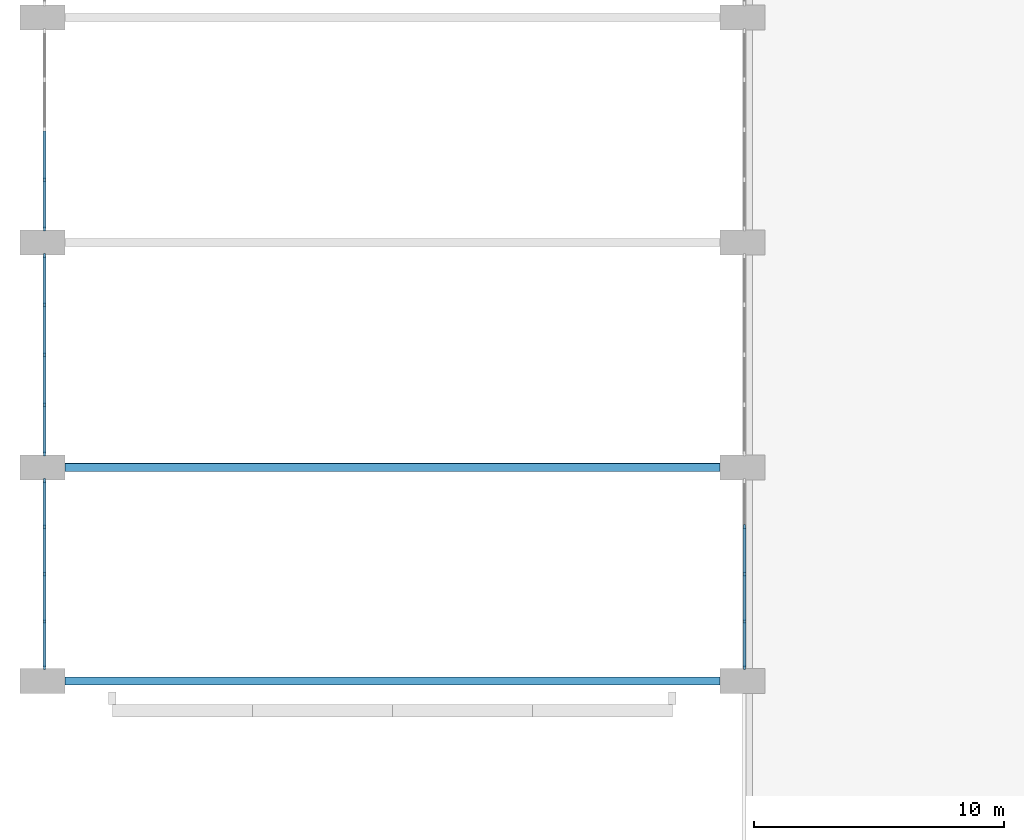
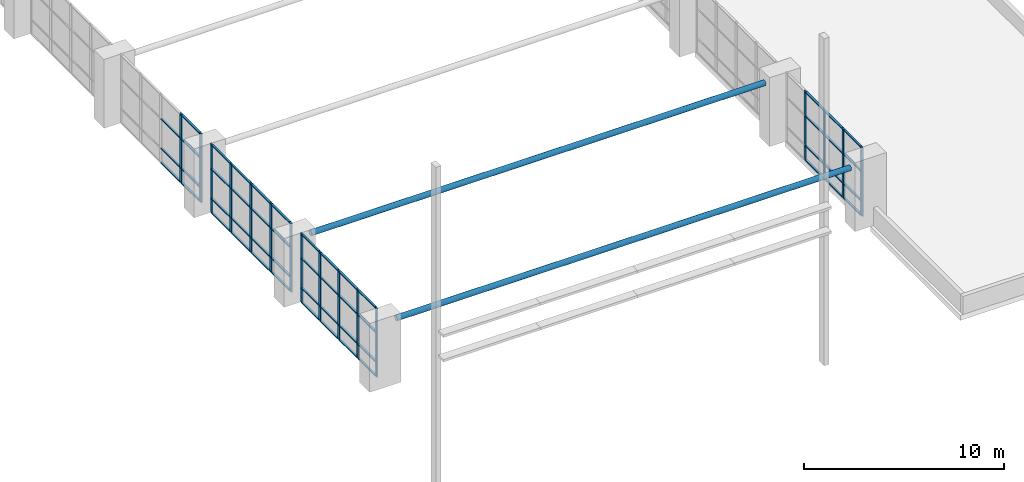
# One storey, part 2 of 21: 69 members, 4 elements without a shape of their own.
"""IFC4 building model written with IfcOpenShell, lengths in metres."""

from ifc_helpers import new_model, si_unit, direction, frame, origin, origin_2d, place, context, subcontext, project, spatial, rectangle, hollow_circle, extrude, material, material_profile, profile_set, type_object, element, aggregate, save


model = new_model("IFC4")

# Units and contexts
model_context = context("Model", 3, precision=1e-05, world=origin(), true_north=direction((0.0, 1.0)))
body_context = subcontext(model_context, "Body", "Model", "MODEL_VIEW")
ifc_project = project(units=[si_unit("LENGTHUNIT", "METRE"), si_unit("AREAUNIT", "SQUARE_METRE"), si_unit("VOLUMEUNIT", "CUBIC_METRE"), si_unit("PLANEANGLEUNIT", "RADIAN"), si_unit("MASSUNIT", "GRAM", prefix="KILO")], contexts=[model_context])

# Site, building, storey
site_placement = place(None, origin())
site = spatial("IfcSite", under=ifc_project, at=site_placement, CompositionType="ELEMENT")
building_placement = place(site_placement, origin())
building = spatial("IfcBuilding", under=site, at=building_placement, Name="Elmora Arch Market Hall", CompositionType="ELEMENT")
storey_placement = place(building_placement, frame((0.0, 0.0, 14.39990234375)))
storey = spatial("IfcBuildingStorey", under=building, at=storey_placement, Name="L03", CompositionType="ELEMENT", Elevation=14.39990234375)

# Curtain wall, members
ifc_material_1 = material(Name="Aluminium", Category="aluminium")
curtain_wall_type = type_object("IfcCurtainWallType", Name="Hall front curtain wall", PredefinedType="NOTDEFINED", material=ifc_material_1)
curtain_wall_1_placement = place(storey_placement, origin())
curtain_wall_1 = element("IfcCurtainWall", 1, at=curtain_wall_1_placement, inside=storey, type_object=curtain_wall_type, Name="Hall west glazing L03 1", PredefinedType="NOTDEFINED")
ifc_material_2 = material(Name="Aluminium", Category="aluminium")
ifc_material_profile_1 = material_profile(ifc_material_2, rectangle(XDim=0.080078125, YDim=0.179931640625, at=origin_2d()), Name="AL 80x180")
ifc_profile_set_1 = profile_set([ifc_material_profile_1], Name="Aluminium")
member_type_1 = type_object("IfcMemberType", Name="Mullion 80x180", PredefinedType="MULLION", material=ifc_profile_set_1)
member_1_placement = place(storey_placement, frame((15.090087890625, 27.989990234375, 0.0), z_axis=(0.0, 0.0, 1.0), x_axis=(-1.0, 0.0, 0.0)))
member_1 = element("IfcMember", 2, at=member_1_placement, type_object=member_type_1, Name="CW2 mullion 1", PredefinedType="MULLION", context=body_context, shape_type="SweptSolid", body=[
    extrude(rectangle(XDim=0.080078125, YDim=0.179931640625, at=origin_2d()), origin(), (0.0, 0.0, 1.0), 4.2001953125),
])
member_2_placement = place(storey_placement, frame((15.090087890625, 29.83740234375, 0.0), z_axis=(0.0, 0.0, 1.0), x_axis=(-1.0, 0.0, 0.0)))
member_2 = element("IfcMember", 3, at=member_2_placement, type_object=member_type_1, Name="CW2 mullion 2", PredefinedType="MULLION", context=body_context, shape_type="SweptSolid", body=[
    extrude(rectangle(XDim=0.080078125, YDim=0.179931640625, at=origin_2d()), origin(), (0.0, 0.0, 1.0), 4.2001953125),
])
member_3_placement = place(storey_placement, frame((15.090087890625, 31.72509765625, 0.0), z_axis=(0.0, 0.0, 1.0), x_axis=(-1.0, 0.0, 0.0)))
member_3 = element("IfcMember", 4, at=member_3_placement, type_object=member_type_1, Name="CW2 mullion 3", PredefinedType="MULLION", context=body_context, shape_type="SweptSolid", body=[
    extrude(rectangle(XDim=0.080078125, YDim=0.179931640625, at=origin_2d()), origin(), (0.0, 0.0, 1.0), 4.2001953125),
])
member_4_placement = place(storey_placement, frame((15.090087890625, 33.612548828125, 0.0), z_axis=(0.0, 0.0, 1.0), x_axis=(-1.0, 0.0, 0.0)))
member_4 = element("IfcMember", 5, at=member_4_placement, type_object=member_type_1, Name="CW2 mullion 4", PredefinedType="MULLION", context=body_context, shape_type="SweptSolid", body=[
    extrude(rectangle(XDim=0.080078125, YDim=0.179931640625, at=origin_2d()), origin(), (0.0, 0.0, 1.0), 4.2001953125),
])
member_5_placement = place(storey_placement, frame((15.090087890625, 35.4599609375, 0.0), z_axis=(0.0, 0.0, 1.0), x_axis=(-1.0, 0.0, 0.0)))
member_5 = element("IfcMember", 6, at=member_5_placement, type_object=member_type_1, Name="CW2 mullion 5", PredefinedType="MULLION", context=body_context, shape_type="SweptSolid", body=[
    extrude(rectangle(XDim=0.080078125, YDim=0.179931640625, at=origin_2d()), origin(), (0.0, 0.0, 1.0), 4.2001953125),
])

curtain_wall_2_placement = place(storey_placement, origin())
curtain_wall_2 = element("IfcCurtainWall", 7, at=curtain_wall_2_placement, inside=storey, type_object=curtain_wall_type, Name="Hall west glazing L03 2", PredefinedType="NOTDEFINED")
member_6_placement = place(storey_placement, frame((15.090087890625, 36.5400390625, 0.0), z_axis=(0.0, 0.0, 1.0), x_axis=(-1.0, 0.0, 0.0)))
member_6 = element("IfcMember", 8, at=member_6_placement, type_object=member_type_1, Name="CW2 mullion 1", PredefinedType="MULLION", context=body_context, shape_type="SweptSolid", body=[
    extrude(rectangle(XDim=0.080078125, YDim=0.179931640625, at=origin_2d()), origin(), (0.0, 0.0, 1.0), 4.2001953125),
])
member_7_placement = place(storey_placement, frame((15.090087890625, 38.5, 0.0), z_axis=(0.0, 0.0, 1.0), x_axis=(-1.0, 0.0, 0.0)))
member_7 = element("IfcMember", 9, at=member_7_placement, type_object=member_type_1, Name="CW2 mullion 2", PredefinedType="MULLION", context=body_context, shape_type="SweptSolid", body=[
    extrude(rectangle(XDim=0.080078125, YDim=0.179931640625, at=origin_2d()), origin(), (0.0, 0.0, 1.0), 4.2001953125),
])
member_8_placement = place(storey_placement, frame((15.090087890625, 40.5, 0.0), z_axis=(0.0, 0.0, 1.0), x_axis=(-1.0, 0.0, 0.0)))
member_8 = element("IfcMember", 10, at=member_8_placement, type_object=member_type_1, Name="CW2 mullion 3", PredefinedType="MULLION", context=body_context, shape_type="SweptSolid", body=[
    extrude(rectangle(XDim=0.080078125, YDim=0.179931640625, at=origin_2d()), origin(), (0.0, 0.0, 1.0), 4.2001953125),
])
member_9_placement = place(storey_placement, frame((15.090087890625, 42.5, 0.0), z_axis=(0.0, 0.0, 1.0), x_axis=(-1.0, 0.0, 0.0)))
member_9 = element("IfcMember", 11, at=member_9_placement, type_object=member_type_1, Name="CW2 mullion 4", PredefinedType="MULLION", context=body_context, shape_type="SweptSolid", body=[
    extrude(rectangle(XDim=0.080078125, YDim=0.179931640625, at=origin_2d()), origin(), (0.0, 0.0, 1.0), 4.2001953125),
])
member_10_placement = place(storey_placement, frame((15.090087890625, 44.4599609375, 0.0), z_axis=(0.0, 0.0, 1.0), x_axis=(-1.0, 0.0, 0.0)))
member_10 = element("IfcMember", 12, at=member_10_placement, type_object=member_type_1, Name="CW2 mullion 5", PredefinedType="MULLION", context=body_context, shape_type="SweptSolid", body=[
    extrude(rectangle(XDim=0.080078125, YDim=0.179931640625, at=origin_2d()), origin(), (0.0, 0.0, 1.0), 4.2001953125),
])

curtain_wall_3_placement = place(storey_placement, origin())
curtain_wall_3 = element("IfcCurtainWall", 13, at=curtain_wall_3_placement, inside=storey, type_object=curtain_wall_type, Name="Hall west glazing L03 3", PredefinedType="NOTDEFINED")
member_11_placement = place(storey_placement, frame((15.090087890625, 45.5400390625, 0.0), z_axis=(0.0, 0.0, 1.0), x_axis=(-1.0, 0.0, 0.0)))
member_11 = element("IfcMember", 14, at=member_11_placement, type_object=member_type_1, Name="CW2 mullion 1", PredefinedType="MULLION", context=body_context, shape_type="SweptSolid", body=[
    extrude(rectangle(XDim=0.080078125, YDim=0.179931640625, at=origin_2d()), origin(), (0.0, 0.0, 1.0), 4.2001953125),
])
member_12_placement = place(storey_placement, frame((15.090087890625, 47.5, 0.0), z_axis=(0.0, 0.0, 1.0), x_axis=(-1.0, 0.0, 0.0)))
member_12 = element("IfcMember", 15, at=member_12_placement, type_object=member_type_1, Name="CW2 mullion 2", PredefinedType="MULLION", context=body_context, shape_type="SweptSolid", body=[
    extrude(rectangle(XDim=0.080078125, YDim=0.179931640625, at=origin_2d()), origin(), (0.0, 0.0, 1.0), 4.2001953125),
])

curtain_wall_4_placement = place(storey_placement, origin())
curtain_wall_4 = element("IfcCurtainWall", 16, at=curtain_wall_4_placement, inside=storey, type_object=curtain_wall_type, Name="Hall east glazing L03 1", PredefinedType="NOTDEFINED")
member_13_placement = place(storey_placement, frame((43.090087890625, 27.989990234375, 0.0), z_axis=(0.0, 0.0, 1.0), x_axis=(-1.0, 0.0, 0.0)))
member_13 = element("IfcMember", 17, at=member_13_placement, type_object=member_type_1, Name="CW2 mullion 1", PredefinedType="MULLION", context=body_context, shape_type="SweptSolid", body=[
    extrude(rectangle(XDim=0.080078125, YDim=0.179931640625, at=origin_2d()), origin(), (0.0, 0.0, 1.0), 4.2001953125),
])
member_14_placement = place(storey_placement, frame((43.090087890625, 29.83740234375, 0.0), z_axis=(0.0, 0.0, 1.0), x_axis=(-1.0, 0.0, 0.0)))
member_14 = element("IfcMember", 18, at=member_14_placement, type_object=member_type_1, Name="CW2 mullion 2", PredefinedType="MULLION", context=body_context, shape_type="SweptSolid", body=[
    extrude(rectangle(XDim=0.080078125, YDim=0.179931640625, at=origin_2d()), origin(), (0.0, 0.0, 1.0), 4.2001953125),
])
member_15_placement = place(storey_placement, frame((43.090087890625, 31.72509765625, 0.0), z_axis=(0.0, 0.0, 1.0), x_axis=(-1.0, 0.0, 0.0)))
member_15 = element("IfcMember", 19, at=member_15_placement, type_object=member_type_1, Name="CW2 mullion 3", PredefinedType="MULLION", context=body_context, shape_type="SweptSolid", body=[
    extrude(rectangle(XDim=0.080078125, YDim=0.179931640625, at=origin_2d()), origin(), (0.0, 0.0, 1.0), 4.2001953125),
])
member_16_placement = place(storey_placement, frame((43.090087890625, 33.612548828125, 0.0), z_axis=(0.0, 0.0, 1.0), x_axis=(-1.0, 0.0, 0.0)))
member_16 = element("IfcMember", 20, at=member_16_placement, type_object=member_type_1, Name="CW2 mullion 4", PredefinedType="MULLION", context=body_context, shape_type="SweptSolid", body=[
    extrude(rectangle(XDim=0.080078125, YDim=0.179931640625, at=origin_2d()), origin(), (0.0, 0.0, 1.0), 4.2001953125),
])

# Members
ifc_material_3 = material(Name="Steel ASTM A500 Gr C", Category="steel")
ifc_material_profile_2 = material_profile(ifc_material_3, hollow_circle(Radius=0.161865234375, WallThickness=0.0126953125, at=origin_2d()), Name="Tie rod")
ifc_profile_set_2 = profile_set([ifc_material_profile_2], Name="Steel ASTM A500 Gr C")
member_type_2 = type_object("IfcMemberType", Name="Tie rod", PredefinedType="USERDEFINED", material=ifc_profile_set_2)
for number, where, z_axis, x_axis, name in (
    (21, (15.89990234375, 27.449951171875, 3.60009765625), (1.0, 0.0, 0.0), (0.0, 1.0, 0.0), "Tie rod 01"),
    (22, (15.89990234375, 36.0, 3.60009765625), (1.0, 0.0, 0.0), (0.0, 1.0, 0.0), "Tie rod 02"),
):
    element("IfcMember", number, at=place(storey_placement, frame(where, z_axis=z_axis, x_axis=x_axis)), inside=storey, type_object=member_type_2, Name=name, ObjectType="TIE ROD", PredefinedType="USERDEFINED", context=body_context, shape_type="SweptSolid", body=[
        extrude(hollow_circle(Radius=0.161865234375, WallThickness=0.0126953125, at=origin_2d()), origin(), (0.0, 0.0, 1.0), 26.2001953125),
    ])

# Member
ifc_material_4 = material(Name="Aluminium", Category="aluminium")
ifc_material_profile_3 = material_profile(ifc_material_4, rectangle(XDim=0.1201171875, YDim=0.06005859375, at=origin_2d()), Name="AL 120x60")
ifc_profile_set_3 = profile_set([ifc_material_profile_3], Name="Aluminium")
member_type_3 = type_object("IfcMemberType", Name="Transom 120x60", PredefinedType="USERDEFINED", material=ifc_profile_set_3)
member_17_placement = place(storey_placement, frame((15.090087890625, 28.030029296875, 0.030029296875), z_axis=(0.0, 1.0, 0.0), x_axis=(-1.0, 0.0, 0.0)))
member_17 = element("IfcMember", 23, at=member_17_placement, type_object=member_type_3, Name="CW2 transom 1.1", ObjectType="TRANSOM", PredefinedType="USERDEFINED", context=body_context, shape_type="SweptSolid", body=[
    extrude(rectangle(XDim=0.1201171875, YDim=0.06005859375, at=origin_2d()), origin(), (0.0, 0.0, 1.0), 1.767578125),
])

member_18_placement = place(storey_placement, frame((15.090087890625, 28.030029296875, 0.900146484375), z_axis=(0.0, 1.0, 0.0), x_axis=(-1.0, 0.0, 0.0)))
member_18 = element("IfcMember", 24, at=member_18_placement, type_object=member_type_3, Name="CW2 transom 1.2", ObjectType="TRANSOM", PredefinedType="USERDEFINED", context=body_context, shape_type="SweptSolid", body=[
    extrude(rectangle(XDim=0.1201171875, YDim=0.06005859375, at=origin_2d()), origin(), (0.0, 0.0, 1.0), 1.767578125),
])

member_19_placement = place(storey_placement, frame((15.090087890625, 28.030029296875, 2.7001953125), z_axis=(0.0, 1.0, 0.0), x_axis=(-1.0, 0.0, 0.0)))
member_19 = element("IfcMember", 25, at=member_19_placement, type_object=member_type_3, Name="CW2 transom 1.3", ObjectType="TRANSOM", PredefinedType="USERDEFINED", context=body_context, shape_type="SweptSolid", body=[
    extrude(rectangle(XDim=0.1201171875, YDim=0.06005859375, at=origin_2d()), origin(), (0.0, 0.0, 1.0), 1.767578125),
])

member_20_placement = place(storey_placement, frame((15.090087890625, 28.030029296875, 4.170166015625), z_axis=(0.0, 1.0, 0.0), x_axis=(-1.0, 0.0, 0.0)))
member_20 = element("IfcMember", 26, at=member_20_placement, type_object=member_type_3, Name="CW2 transom 1.4", ObjectType="TRANSOM", PredefinedType="USERDEFINED", context=body_context, shape_type="SweptSolid", body=[
    extrude(rectangle(XDim=0.1201171875, YDim=0.06005859375, at=origin_2d()), origin(), (0.0, 0.0, 1.0), 1.767578125),
])

member_21_placement = place(storey_placement, frame((15.090087890625, 29.87744140625, 0.030029296875), z_axis=(0.0, 1.0, 0.0), x_axis=(-1.0, 0.0, 0.0)))
member_21 = element("IfcMember", 27, at=member_21_placement, type_object=member_type_3, Name="CW2 transom 2.1", ObjectType="TRANSOM", PredefinedType="USERDEFINED", context=body_context, shape_type="SweptSolid", body=[
    extrude(rectangle(XDim=0.1201171875, YDim=0.06005859375, at=origin_2d()), origin(), (0.0, 0.0, 1.0), 1.8076171875),
])

member_22_placement = place(storey_placement, frame((15.090087890625, 29.87744140625, 0.900146484375), z_axis=(0.0, 1.0, 0.0), x_axis=(-1.0, 0.0, 0.0)))
member_22 = element("IfcMember", 28, at=member_22_placement, type_object=member_type_3, Name="CW2 transom 2.2", ObjectType="TRANSOM", PredefinedType="USERDEFINED", context=body_context, shape_type="SweptSolid", body=[
    extrude(rectangle(XDim=0.1201171875, YDim=0.06005859375, at=origin_2d()), origin(), (0.0, 0.0, 1.0), 1.8076171875),
])

member_23_placement = place(storey_placement, frame((15.090087890625, 29.87744140625, 2.7001953125), z_axis=(0.0, 1.0, 0.0), x_axis=(-1.0, 0.0, 0.0)))
member_23 = element("IfcMember", 29, at=member_23_placement, type_object=member_type_3, Name="CW2 transom 2.3", ObjectType="TRANSOM", PredefinedType="USERDEFINED", context=body_context, shape_type="SweptSolid", body=[
    extrude(rectangle(XDim=0.1201171875, YDim=0.06005859375, at=origin_2d()), origin(), (0.0, 0.0, 1.0), 1.8076171875),
])

member_24_placement = place(storey_placement, frame((15.090087890625, 29.87744140625, 4.170166015625), z_axis=(0.0, 1.0, 0.0), x_axis=(-1.0, 0.0, 0.0)))
member_24 = element("IfcMember", 30, at=member_24_placement, type_object=member_type_3, Name="CW2 transom 2.4", ObjectType="TRANSOM", PredefinedType="USERDEFINED", context=body_context, shape_type="SweptSolid", body=[
    extrude(rectangle(XDim=0.1201171875, YDim=0.06005859375, at=origin_2d()), origin(), (0.0, 0.0, 1.0), 1.8076171875),
])

member_25_placement = place(storey_placement, frame((15.090087890625, 31.764892578125, 0.030029296875), z_axis=(0.0, 1.0, 0.0), x_axis=(-1.0, 0.0, 0.0)))
member_25 = element("IfcMember", 31, at=member_25_placement, type_object=member_type_3, Name="CW2 transom 3.1", ObjectType="TRANSOM", PredefinedType="USERDEFINED", context=body_context, shape_type="SweptSolid", body=[
    extrude(rectangle(XDim=0.1201171875, YDim=0.06005859375, at=origin_2d()), origin(), (0.0, 0.0, 1.0), 1.8076171875),
])

member_26_placement = place(storey_placement, frame((15.090087890625, 31.764892578125, 0.900146484375), z_axis=(0.0, 1.0, 0.0), x_axis=(-1.0, 0.0, 0.0)))
member_26 = element("IfcMember", 32, at=member_26_placement, type_object=member_type_3, Name="CW2 transom 3.2", ObjectType="TRANSOM", PredefinedType="USERDEFINED", context=body_context, shape_type="SweptSolid", body=[
    extrude(rectangle(XDim=0.1201171875, YDim=0.06005859375, at=origin_2d()), origin(), (0.0, 0.0, 1.0), 1.8076171875),
])

member_27_placement = place(storey_placement, frame((15.090087890625, 31.764892578125, 2.7001953125), z_axis=(0.0, 1.0, 0.0), x_axis=(-1.0, 0.0, 0.0)))
member_27 = element("IfcMember", 33, at=member_27_placement, type_object=member_type_3, Name="CW2 transom 3.3", ObjectType="TRANSOM", PredefinedType="USERDEFINED", context=body_context, shape_type="SweptSolid", body=[
    extrude(rectangle(XDim=0.1201171875, YDim=0.06005859375, at=origin_2d()), origin(), (0.0, 0.0, 1.0), 1.8076171875),
])

member_28_placement = place(storey_placement, frame((15.090087890625, 31.764892578125, 4.170166015625), z_axis=(0.0, 1.0, 0.0), x_axis=(-1.0, 0.0, 0.0)))
member_28 = element("IfcMember", 34, at=member_28_placement, type_object=member_type_3, Name="CW2 transom 3.4", ObjectType="TRANSOM", PredefinedType="USERDEFINED", context=body_context, shape_type="SweptSolid", body=[
    extrude(rectangle(XDim=0.1201171875, YDim=0.06005859375, at=origin_2d()), origin(), (0.0, 0.0, 1.0), 1.8076171875),
])

member_29_placement = place(storey_placement, frame((15.090087890625, 33.652587890625, 0.030029296875), z_axis=(0.0, 1.0, 0.0), x_axis=(-1.0, 0.0, 0.0)))
member_29 = element("IfcMember", 35, at=member_29_placement, type_object=member_type_3, Name="CW2 transom 4.1", ObjectType="TRANSOM", PredefinedType="USERDEFINED", context=body_context, shape_type="SweptSolid", body=[
    extrude(rectangle(XDim=0.1201171875, YDim=0.06005859375, at=origin_2d()), origin(), (0.0, 0.0, 1.0), 1.767333984375),
])

member_30_placement = place(storey_placement, frame((15.090087890625, 33.652587890625, 0.900146484375), z_axis=(0.0, 1.0, 0.0), x_axis=(-1.0, 0.0, 0.0)))
member_30 = element("IfcMember", 36, at=member_30_placement, type_object=member_type_3, Name="CW2 transom 4.2", ObjectType="TRANSOM", PredefinedType="USERDEFINED", context=body_context, shape_type="SweptSolid", body=[
    extrude(rectangle(XDim=0.1201171875, YDim=0.06005859375, at=origin_2d()), origin(), (0.0, 0.0, 1.0), 1.767333984375),
])

member_31_placement = place(storey_placement, frame((15.090087890625, 33.652587890625, 2.7001953125), z_axis=(0.0, 1.0, 0.0), x_axis=(-1.0, 0.0, 0.0)))
member_31 = element("IfcMember", 37, at=member_31_placement, type_object=member_type_3, Name="CW2 transom 4.3", ObjectType="TRANSOM", PredefinedType="USERDEFINED", context=body_context, shape_type="SweptSolid", body=[
    extrude(rectangle(XDim=0.1201171875, YDim=0.06005859375, at=origin_2d()), origin(), (0.0, 0.0, 1.0), 1.767333984375),
])

member_32_placement = place(storey_placement, frame((15.090087890625, 33.652587890625, 4.170166015625), z_axis=(0.0, 1.0, 0.0), x_axis=(-1.0, 0.0, 0.0)))
member_32 = element("IfcMember", 38, at=member_32_placement, type_object=member_type_3, Name="CW2 transom 4.4", ObjectType="TRANSOM", PredefinedType="USERDEFINED", context=body_context, shape_type="SweptSolid", body=[
    extrude(rectangle(XDim=0.1201171875, YDim=0.06005859375, at=origin_2d()), origin(), (0.0, 0.0, 1.0), 1.767333984375),
])

aggregate(curtain_wall_1, [member_1, member_2, member_3, member_4, member_5, member_17, member_18, member_19, member_20, member_21, member_22, member_23, member_24, member_25, member_26, member_27, member_28, member_29, member_30, member_31, member_32])

member_33_placement = place(storey_placement, frame((15.090087890625, 36.580078125, 0.030029296875), z_axis=(0.0, 1.0, 0.0), x_axis=(-1.0, 0.0, 0.0)))
member_33 = element("IfcMember", 39, at=member_33_placement, type_object=member_type_3, Name="CW2 transom 1.1", ObjectType="TRANSOM", PredefinedType="USERDEFINED", context=body_context, shape_type="SweptSolid", body=[
    extrude(rectangle(XDim=0.1201171875, YDim=0.06005859375, at=origin_2d()), origin(), (0.0, 0.0, 1.0), 1.8798828125),
])

member_34_placement = place(storey_placement, frame((15.090087890625, 36.580078125, 0.900146484375), z_axis=(0.0, 1.0, 0.0), x_axis=(-1.0, 0.0, 0.0)))
member_34 = element("IfcMember", 40, at=member_34_placement, type_object=member_type_3, Name="CW2 transom 1.2", ObjectType="TRANSOM", PredefinedType="USERDEFINED", context=body_context, shape_type="SweptSolid", body=[
    extrude(rectangle(XDim=0.1201171875, YDim=0.06005859375, at=origin_2d()), origin(), (0.0, 0.0, 1.0), 1.8798828125),
])

member_35_placement = place(storey_placement, frame((15.090087890625, 36.580078125, 2.7001953125), z_axis=(0.0, 1.0, 0.0), x_axis=(-1.0, 0.0, 0.0)))
member_35 = element("IfcMember", 41, at=member_35_placement, type_object=member_type_3, Name="CW2 transom 1.3", ObjectType="TRANSOM", PredefinedType="USERDEFINED", context=body_context, shape_type="SweptSolid", body=[
    extrude(rectangle(XDim=0.1201171875, YDim=0.06005859375, at=origin_2d()), origin(), (0.0, 0.0, 1.0), 1.8798828125),
])

member_36_placement = place(storey_placement, frame((15.090087890625, 36.580078125, 4.170166015625), z_axis=(0.0, 1.0, 0.0), x_axis=(-1.0, 0.0, 0.0)))
member_36 = element("IfcMember", 42, at=member_36_placement, type_object=member_type_3, Name="CW2 transom 1.4", ObjectType="TRANSOM", PredefinedType="USERDEFINED", context=body_context, shape_type="SweptSolid", body=[
    extrude(rectangle(XDim=0.1201171875, YDim=0.06005859375, at=origin_2d()), origin(), (0.0, 0.0, 1.0), 1.8798828125),
])

member_37_placement = place(storey_placement, frame((15.090087890625, 38.5400390625, 0.030029296875), z_axis=(0.0, 1.0, 0.0), x_axis=(-1.0, 0.0, 0.0)))
member_37 = element("IfcMember", 43, at=member_37_placement, type_object=member_type_3, Name="CW2 transom 2.1", ObjectType="TRANSOM", PredefinedType="USERDEFINED", context=body_context, shape_type="SweptSolid", body=[
    extrude(rectangle(XDim=0.1201171875, YDim=0.06005859375, at=origin_2d()), origin(), (0.0, 0.0, 1.0), 1.919921875),
])

member_38_placement = place(storey_placement, frame((15.090087890625, 38.5400390625, 0.900146484375), z_axis=(0.0, 1.0, 0.0), x_axis=(-1.0, 0.0, 0.0)))
member_38 = element("IfcMember", 44, at=member_38_placement, type_object=member_type_3, Name="CW2 transom 2.2", ObjectType="TRANSOM", PredefinedType="USERDEFINED", context=body_context, shape_type="SweptSolid", body=[
    extrude(rectangle(XDim=0.1201171875, YDim=0.06005859375, at=origin_2d()), origin(), (0.0, 0.0, 1.0), 1.919921875),
])

member_39_placement = place(storey_placement, frame((15.090087890625, 38.5400390625, 2.7001953125), z_axis=(0.0, 1.0, 0.0), x_axis=(-1.0, 0.0, 0.0)))
member_39 = element("IfcMember", 45, at=member_39_placement, type_object=member_type_3, Name="CW2 transom 2.3", ObjectType="TRANSOM", PredefinedType="USERDEFINED", context=body_context, shape_type="SweptSolid", body=[
    extrude(rectangle(XDim=0.1201171875, YDim=0.06005859375, at=origin_2d()), origin(), (0.0, 0.0, 1.0), 1.919921875),
])

member_40_placement = place(storey_placement, frame((15.090087890625, 38.5400390625, 4.170166015625), z_axis=(0.0, 1.0, 0.0), x_axis=(-1.0, 0.0, 0.0)))
member_40 = element("IfcMember", 46, at=member_40_placement, type_object=member_type_3, Name="CW2 transom 2.4", ObjectType="TRANSOM", PredefinedType="USERDEFINED", context=body_context, shape_type="SweptSolid", body=[
    extrude(rectangle(XDim=0.1201171875, YDim=0.06005859375, at=origin_2d()), origin(), (0.0, 0.0, 1.0), 1.919921875),
])

member_41_placement = place(storey_placement, frame((15.090087890625, 40.5400390625, 0.030029296875), z_axis=(0.0, 1.0, 0.0), x_axis=(-1.0, 0.0, 0.0)))
member_41 = element("IfcMember", 47, at=member_41_placement, type_object=member_type_3, Name="CW2 transom 3.1", ObjectType="TRANSOM", PredefinedType="USERDEFINED", context=body_context, shape_type="SweptSolid", body=[
    extrude(rectangle(XDim=0.1201171875, YDim=0.06005859375, at=origin_2d()), origin(), (0.0, 0.0, 1.0), 1.919921875),
])

member_42_placement = place(storey_placement, frame((15.090087890625, 40.5400390625, 0.900146484375), z_axis=(0.0, 1.0, 0.0), x_axis=(-1.0, 0.0, 0.0)))
member_42 = element("IfcMember", 48, at=member_42_placement, type_object=member_type_3, Name="CW2 transom 3.2", ObjectType="TRANSOM", PredefinedType="USERDEFINED", context=body_context, shape_type="SweptSolid", body=[
    extrude(rectangle(XDim=0.1201171875, YDim=0.06005859375, at=origin_2d()), origin(), (0.0, 0.0, 1.0), 1.919921875),
])

member_43_placement = place(storey_placement, frame((15.090087890625, 40.5400390625, 2.7001953125), z_axis=(0.0, 1.0, 0.0), x_axis=(-1.0, 0.0, 0.0)))
member_43 = element("IfcMember", 49, at=member_43_placement, type_object=member_type_3, Name="CW2 transom 3.3", ObjectType="TRANSOM", PredefinedType="USERDEFINED", context=body_context, shape_type="SweptSolid", body=[
    extrude(rectangle(XDim=0.1201171875, YDim=0.06005859375, at=origin_2d()), origin(), (0.0, 0.0, 1.0), 1.919921875),
])

member_44_placement = place(storey_placement, frame((15.090087890625, 40.5400390625, 4.170166015625), z_axis=(0.0, 1.0, 0.0), x_axis=(-1.0, 0.0, 0.0)))
member_44 = element("IfcMember", 50, at=member_44_placement, type_object=member_type_3, Name="CW2 transom 3.4", ObjectType="TRANSOM", PredefinedType="USERDEFINED", context=body_context, shape_type="SweptSolid", body=[
    extrude(rectangle(XDim=0.1201171875, YDim=0.06005859375, at=origin_2d()), origin(), (0.0, 0.0, 1.0), 1.919921875),
])

member_45_placement = place(storey_placement, frame((15.090087890625, 42.5400390625, 0.030029296875), z_axis=(0.0, 1.0, 0.0), x_axis=(-1.0, 0.0, 0.0)))
member_45 = element("IfcMember", 51, at=member_45_placement, type_object=member_type_3, Name="CW2 transom 4.1", ObjectType="TRANSOM", PredefinedType="USERDEFINED", context=body_context, shape_type="SweptSolid", body=[
    extrude(rectangle(XDim=0.1201171875, YDim=0.06005859375, at=origin_2d()), origin(), (0.0, 0.0, 1.0), 1.8798828125),
])

member_46_placement = place(storey_placement, frame((15.090087890625, 42.5400390625, 0.900146484375), z_axis=(0.0, 1.0, 0.0), x_axis=(-1.0, 0.0, 0.0)))
member_46 = element("IfcMember", 52, at=member_46_placement, type_object=member_type_3, Name="CW2 transom 4.2", ObjectType="TRANSOM", PredefinedType="USERDEFINED", context=body_context, shape_type="SweptSolid", body=[
    extrude(rectangle(XDim=0.1201171875, YDim=0.06005859375, at=origin_2d()), origin(), (0.0, 0.0, 1.0), 1.8798828125),
])

member_47_placement = place(storey_placement, frame((15.090087890625, 42.5400390625, 2.7001953125), z_axis=(0.0, 1.0, 0.0), x_axis=(-1.0, 0.0, 0.0)))
member_47 = element("IfcMember", 53, at=member_47_placement, type_object=member_type_3, Name="CW2 transom 4.3", ObjectType="TRANSOM", PredefinedType="USERDEFINED", context=body_context, shape_type="SweptSolid", body=[
    extrude(rectangle(XDim=0.1201171875, YDim=0.06005859375, at=origin_2d()), origin(), (0.0, 0.0, 1.0), 1.8798828125),
])

member_48_placement = place(storey_placement, frame((15.090087890625, 42.5400390625, 4.170166015625), z_axis=(0.0, 1.0, 0.0), x_axis=(-1.0, 0.0, 0.0)))
member_48 = element("IfcMember", 54, at=member_48_placement, type_object=member_type_3, Name="CW2 transom 4.4", ObjectType="TRANSOM", PredefinedType="USERDEFINED", context=body_context, shape_type="SweptSolid", body=[
    extrude(rectangle(XDim=0.1201171875, YDim=0.06005859375, at=origin_2d()), origin(), (0.0, 0.0, 1.0), 1.8798828125),
])

aggregate(curtain_wall_2, [member_6, member_7, member_8, member_9, member_10, member_33, member_34, member_35, member_36, member_37, member_38, member_39, member_40, member_41, member_42, member_43, member_44, member_45, member_46, member_47, member_48])

member_49_placement = place(storey_placement, frame((15.090087890625, 45.580078125, 0.030029296875), z_axis=(0.0, 1.0, 0.0), x_axis=(-1.0, 0.0, 0.0)))
member_49 = element("IfcMember", 55, at=member_49_placement, type_object=member_type_3, Name="CW2 transom 1.1", ObjectType="TRANSOM", PredefinedType="USERDEFINED", context=body_context, shape_type="SweptSolid", body=[
    extrude(rectangle(XDim=0.1201171875, YDim=0.06005859375, at=origin_2d()), origin(), (0.0, 0.0, 1.0), 1.8798828125),
])

member_50_placement = place(storey_placement, frame((15.090087890625, 45.580078125, 0.900146484375), z_axis=(0.0, 1.0, 0.0), x_axis=(-1.0, 0.0, 0.0)))
member_50 = element("IfcMember", 56, at=member_50_placement, type_object=member_type_3, Name="CW2 transom 1.2", ObjectType="TRANSOM", PredefinedType="USERDEFINED", context=body_context, shape_type="SweptSolid", body=[
    extrude(rectangle(XDim=0.1201171875, YDim=0.06005859375, at=origin_2d()), origin(), (0.0, 0.0, 1.0), 1.8798828125),
])

member_51_placement = place(storey_placement, frame((15.090087890625, 45.580078125, 2.7001953125), z_axis=(0.0, 1.0, 0.0), x_axis=(-1.0, 0.0, 0.0)))
member_51 = element("IfcMember", 57, at=member_51_placement, type_object=member_type_3, Name="CW2 transom 1.3", ObjectType="TRANSOM", PredefinedType="USERDEFINED", context=body_context, shape_type="SweptSolid", body=[
    extrude(rectangle(XDim=0.1201171875, YDim=0.06005859375, at=origin_2d()), origin(), (0.0, 0.0, 1.0), 1.8798828125),
])

member_52_placement = place(storey_placement, frame((15.090087890625, 45.580078125, 4.170166015625), z_axis=(0.0, 1.0, 0.0), x_axis=(-1.0, 0.0, 0.0)))
member_52 = element("IfcMember", 58, at=member_52_placement, type_object=member_type_3, Name="CW2 transom 1.4", ObjectType="TRANSOM", PredefinedType="USERDEFINED", context=body_context, shape_type="SweptSolid", body=[
    extrude(rectangle(XDim=0.1201171875, YDim=0.06005859375, at=origin_2d()), origin(), (0.0, 0.0, 1.0), 1.8798828125),
])

member_53_placement = place(storey_placement, frame((15.090087890625, 47.5400390625, 0.030029296875), z_axis=(0.0, 1.0, 0.0), x_axis=(-1.0, 0.0, 0.0)))
member_53 = element("IfcMember", 59, at=member_53_placement, type_object=member_type_3, Name="CW2 transom 2.1", ObjectType="TRANSOM", PredefinedType="USERDEFINED", context=body_context, shape_type="SweptSolid", body=[
    extrude(rectangle(XDim=0.1201171875, YDim=0.06005859375, at=origin_2d()), origin(), (0.0, 0.0, 1.0), 1.919921875),
])

member_54_placement = place(storey_placement, frame((15.090087890625, 47.5400390625, 0.900146484375), z_axis=(0.0, 1.0, 0.0), x_axis=(-1.0, 0.0, 0.0)))
member_54 = element("IfcMember", 60, at=member_54_placement, type_object=member_type_3, Name="CW2 transom 2.2", ObjectType="TRANSOM", PredefinedType="USERDEFINED", context=body_context, shape_type="SweptSolid", body=[
    extrude(rectangle(XDim=0.1201171875, YDim=0.06005859375, at=origin_2d()), origin(), (0.0, 0.0, 1.0), 1.919921875),
])

member_55_placement = place(storey_placement, frame((15.090087890625, 47.5400390625, 2.7001953125), z_axis=(0.0, 1.0, 0.0), x_axis=(-1.0, 0.0, 0.0)))
member_55 = element("IfcMember", 61, at=member_55_placement, type_object=member_type_3, Name="CW2 transom 2.3", ObjectType="TRANSOM", PredefinedType="USERDEFINED", context=body_context, shape_type="SweptSolid", body=[
    extrude(rectangle(XDim=0.1201171875, YDim=0.06005859375, at=origin_2d()), origin(), (0.0, 0.0, 1.0), 1.919921875),
])

aggregate(curtain_wall_3, [member_11, member_12, member_49, member_50, member_51, member_52, member_53, member_54, member_55])

member_56_placement = place(storey_placement, frame((43.090087890625, 28.030029296875, 0.030029296875), z_axis=(0.0, 1.0, 0.0), x_axis=(-1.0, 0.0, 0.0)))
member_56 = element("IfcMember", 62, at=member_56_placement, type_object=member_type_3, Name="CW2 transom 1.1", ObjectType="TRANSOM", PredefinedType="USERDEFINED", context=body_context, shape_type="SweptSolid", body=[
    extrude(rectangle(XDim=0.1201171875, YDim=0.06005859375, at=origin_2d()), origin(), (0.0, 0.0, 1.0), 1.767578125),
])

member_57_placement = place(storey_placement, frame((43.090087890625, 28.030029296875, 0.900146484375), z_axis=(0.0, 1.0, 0.0), x_axis=(-1.0, 0.0, 0.0)))
member_57 = element("IfcMember", 63, at=member_57_placement, type_object=member_type_3, Name="CW2 transom 1.2", ObjectType="TRANSOM", PredefinedType="USERDEFINED", context=body_context, shape_type="SweptSolid", body=[
    extrude(rectangle(XDim=0.1201171875, YDim=0.06005859375, at=origin_2d()), origin(), (0.0, 0.0, 1.0), 1.767578125),
])

member_58_placement = place(storey_placement, frame((43.090087890625, 28.030029296875, 2.7001953125), z_axis=(0.0, 1.0, 0.0), x_axis=(-1.0, 0.0, 0.0)))
member_58 = element("IfcMember", 64, at=member_58_placement, type_object=member_type_3, Name="CW2 transom 1.3", ObjectType="TRANSOM", PredefinedType="USERDEFINED", context=body_context, shape_type="SweptSolid", body=[
    extrude(rectangle(XDim=0.1201171875, YDim=0.06005859375, at=origin_2d()), origin(), (0.0, 0.0, 1.0), 1.767578125),
])

member_59_placement = place(storey_placement, frame((43.090087890625, 28.030029296875, 4.170166015625), z_axis=(0.0, 1.0, 0.0), x_axis=(-1.0, 0.0, 0.0)))
member_59 = element("IfcMember", 65, at=member_59_placement, type_object=member_type_3, Name="CW2 transom 1.4", ObjectType="TRANSOM", PredefinedType="USERDEFINED", context=body_context, shape_type="SweptSolid", body=[
    extrude(rectangle(XDim=0.1201171875, YDim=0.06005859375, at=origin_2d()), origin(), (0.0, 0.0, 1.0), 1.767578125),
])

member_60_placement = place(storey_placement, frame((43.090087890625, 29.87744140625, 0.030029296875), z_axis=(0.0, 1.0, 0.0), x_axis=(-1.0, 0.0, 0.0)))
member_60 = element("IfcMember", 66, at=member_60_placement, type_object=member_type_3, Name="CW2 transom 2.1", ObjectType="TRANSOM", PredefinedType="USERDEFINED", context=body_context, shape_type="SweptSolid", body=[
    extrude(rectangle(XDim=0.1201171875, YDim=0.06005859375, at=origin_2d()), origin(), (0.0, 0.0, 1.0), 1.8076171875),
])

member_61_placement = place(storey_placement, frame((43.090087890625, 29.87744140625, 0.900146484375), z_axis=(0.0, 1.0, 0.0), x_axis=(-1.0, 0.0, 0.0)))
member_61 = element("IfcMember", 67, at=member_61_placement, type_object=member_type_3, Name="CW2 transom 2.2", ObjectType="TRANSOM", PredefinedType="USERDEFINED", context=body_context, shape_type="SweptSolid", body=[
    extrude(rectangle(XDim=0.1201171875, YDim=0.06005859375, at=origin_2d()), origin(), (0.0, 0.0, 1.0), 1.8076171875),
])

member_62_placement = place(storey_placement, frame((43.090087890625, 29.87744140625, 2.7001953125), z_axis=(0.0, 1.0, 0.0), x_axis=(-1.0, 0.0, 0.0)))
member_62 = element("IfcMember", 68, at=member_62_placement, type_object=member_type_3, Name="CW2 transom 2.3", ObjectType="TRANSOM", PredefinedType="USERDEFINED", context=body_context, shape_type="SweptSolid", body=[
    extrude(rectangle(XDim=0.1201171875, YDim=0.06005859375, at=origin_2d()), origin(), (0.0, 0.0, 1.0), 1.8076171875),
])

member_63_placement = place(storey_placement, frame((43.090087890625, 29.87744140625, 4.170166015625), z_axis=(0.0, 1.0, 0.0), x_axis=(-1.0, 0.0, 0.0)))
member_63 = element("IfcMember", 69, at=member_63_placement, type_object=member_type_3, Name="CW2 transom 2.4", ObjectType="TRANSOM", PredefinedType="USERDEFINED", context=body_context, shape_type="SweptSolid", body=[
    extrude(rectangle(XDim=0.1201171875, YDim=0.06005859375, at=origin_2d()), origin(), (0.0, 0.0, 1.0), 1.8076171875),
])

member_64_placement = place(storey_placement, frame((43.090087890625, 31.764892578125, 0.030029296875), z_axis=(0.0, 1.0, 0.0), x_axis=(-1.0, 0.0, 0.0)))
member_64 = element("IfcMember", 70, at=member_64_placement, type_object=member_type_3, Name="CW2 transom 3.1", ObjectType="TRANSOM", PredefinedType="USERDEFINED", context=body_context, shape_type="SweptSolid", body=[
    extrude(rectangle(XDim=0.1201171875, YDim=0.06005859375, at=origin_2d()), origin(), (0.0, 0.0, 1.0), 1.8076171875),
])

member_65_placement = place(storey_placement, frame((43.090087890625, 31.764892578125, 0.900146484375), z_axis=(0.0, 1.0, 0.0), x_axis=(-1.0, 0.0, 0.0)))
member_65 = element("IfcMember", 71, at=member_65_placement, type_object=member_type_3, Name="CW2 transom 3.2", ObjectType="TRANSOM", PredefinedType="USERDEFINED", context=body_context, shape_type="SweptSolid", body=[
    extrude(rectangle(XDim=0.1201171875, YDim=0.06005859375, at=origin_2d()), origin(), (0.0, 0.0, 1.0), 1.8076171875),
])

member_66_placement = place(storey_placement, frame((43.090087890625, 31.764892578125, 2.7001953125), z_axis=(0.0, 1.0, 0.0), x_axis=(-1.0, 0.0, 0.0)))
member_66 = element("IfcMember", 72, at=member_66_placement, type_object=member_type_3, Name="CW2 transom 3.3", ObjectType="TRANSOM", PredefinedType="USERDEFINED", context=body_context, shape_type="SweptSolid", body=[
    extrude(rectangle(XDim=0.1201171875, YDim=0.06005859375, at=origin_2d()), origin(), (0.0, 0.0, 1.0), 1.8076171875),
])

member_67_placement = place(storey_placement, frame((43.090087890625, 31.764892578125, 4.170166015625), z_axis=(0.0, 1.0, 0.0), x_axis=(-1.0, 0.0, 0.0)))
member_67 = element("IfcMember", 73, at=member_67_placement, type_object=member_type_3, Name="CW2 transom 3.4", ObjectType="TRANSOM", PredefinedType="USERDEFINED", context=body_context, shape_type="SweptSolid", body=[
    extrude(rectangle(XDim=0.1201171875, YDim=0.06005859375, at=origin_2d()), origin(), (0.0, 0.0, 1.0), 1.8076171875),
])

aggregate(curtain_wall_4, [member_13, member_14, member_15, member_16, member_56, member_57, member_58, member_59, member_60, member_61, member_62, member_63, member_64, member_65, member_66, member_67])

save(model, "model.ifc")
